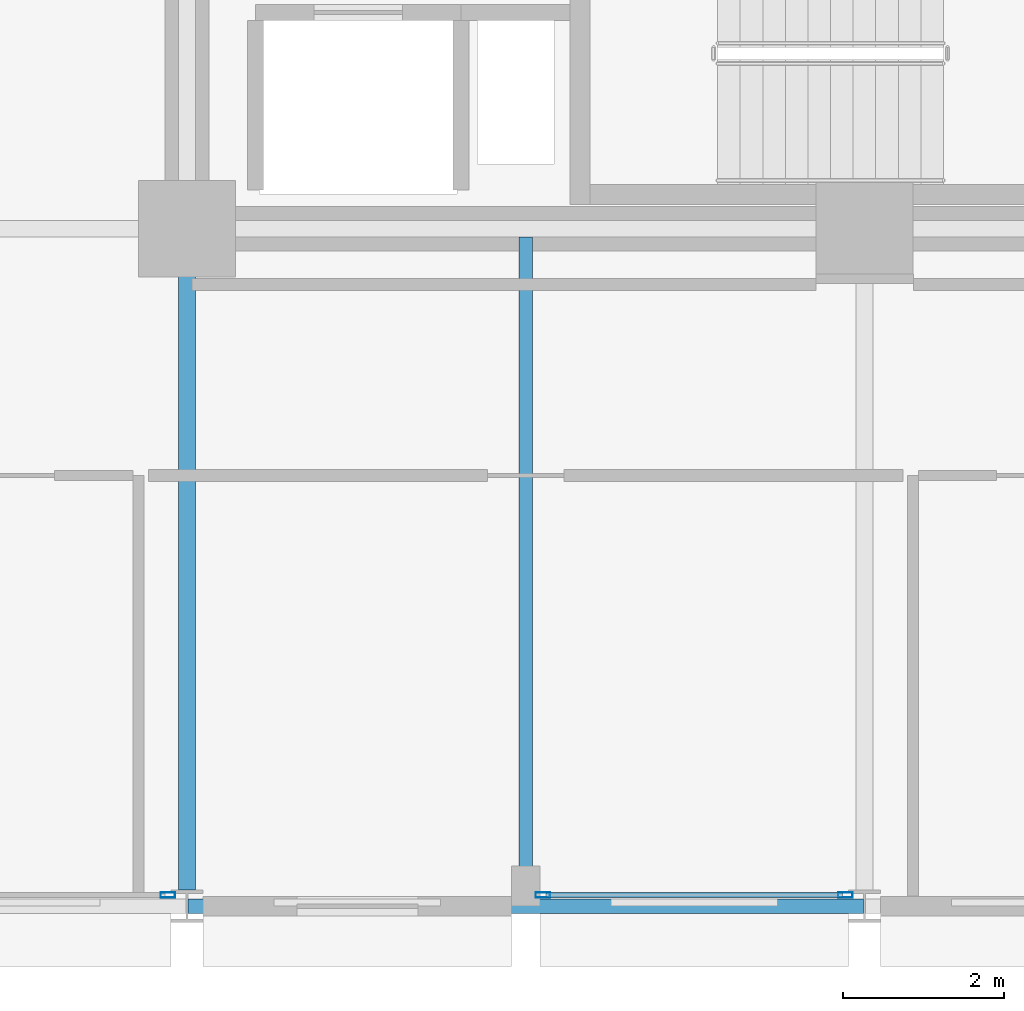
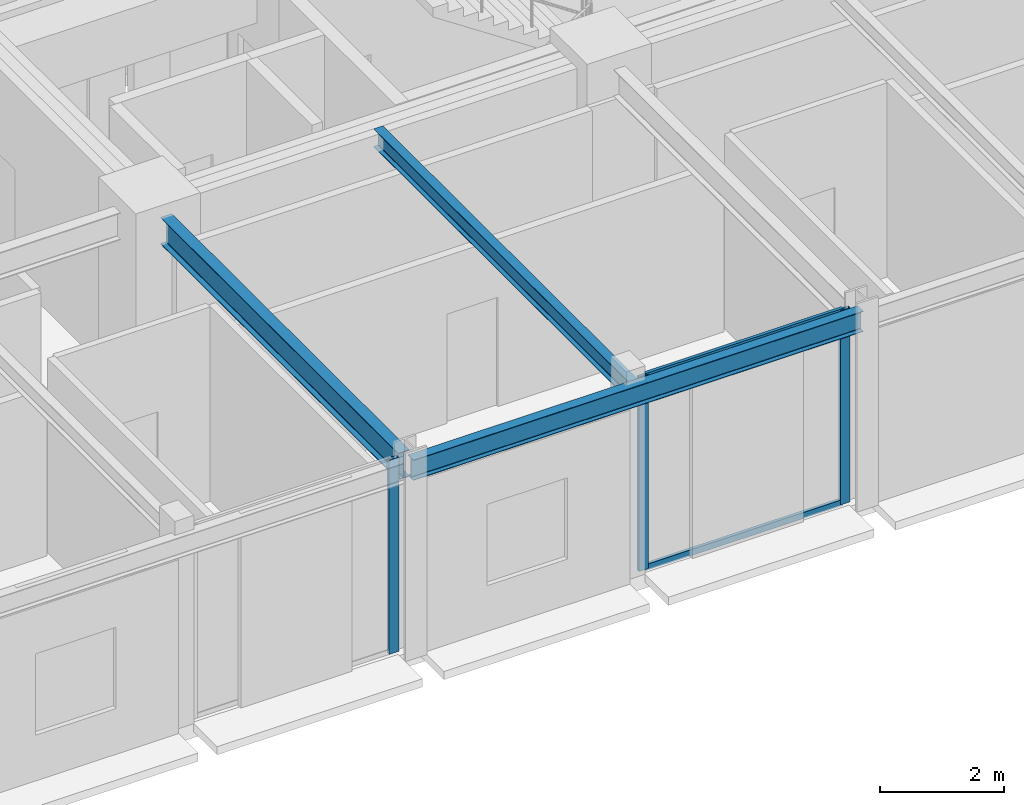
# One storey, part 6 of 30: 5 members, 3 beams, 2 elements without a shape of their own.
"""IFC4 building model written with IfcOpenShell, lengths in metres."""

from ifc_helpers import new_model, si_unit, direction, frame, origin, origin_2d, place, context, subcontext, project, spatial, hollow_rectangle, i_section, extrude, material, layer, layer_set, material_profile, profile_set, type_object, element, aggregate, save


model = new_model("IFC4")

# Units and contexts
model_context = context("Model", 3, precision=1e-05, world=origin(), true_north=direction((0.0, 1.0)))
body_context = subcontext(model_context, "Body", "Model", "MODEL_VIEW")
ifc_project = project(units=[si_unit("LENGTHUNIT", "METRE"), si_unit("AREAUNIT", "SQUARE_METRE"), si_unit("VOLUMEUNIT", "CUBIC_METRE"), si_unit("PLANEANGLEUNIT", "RADIAN"), si_unit("MASSUNIT", "GRAM", prefix="KILO")], contexts=[model_context])

# Site, building, storey
site_placement = place(None, origin())
site = spatial("IfcSite", under=ifc_project, at=site_placement, CompositionType="ELEMENT")
building_placement = place(site_placement, origin())
building = spatial("IfcBuilding", under=site, at=building_placement, Name="Nerrivon Quay Data Exchange", CompositionType="ELEMENT")
storey_placement = place(building_placement, frame((0.0, 0.0, 117.199951171875)))
storey = spatial("IfcBuildingStorey", under=building, at=storey_placement, Name="L27", CompositionType="ELEMENT", Elevation=117.199951171875)

# Beams
ifc_material_1 = material(Name="Steel Grade 350", Category="steel")
ifc_material_profile_1 = material_profile(ifc_material_1, i_section(OverallWidth=0.208984375, OverallDepth=0.528076171875, WebThickness=0.009521484375, FlangeThickness=0.01318359375, FilletRadius=0.013916015625, at=origin_2d()), Name="530UB82.0")
ifc_profile_set_1 = profile_set([ifc_material_profile_1], Name="Steel Grade 350")
beam_type_1 = type_object("IfcBeamType", Name="BM-G4-530UB82", PredefinedType="BEAM", material=ifc_profile_set_1)
beam_1_placement = place(storey_placement, frame((16.800048828125, 0.199951171875, 3.56103515625), z_axis=(0.0, 1.0, 0.0), x_axis=(-1.0, 0.0, 0.0)))
element("IfcBeam", 1, at=beam_1_placement, inside=storey, type_object=beam_type_1, Name="L27 NS Girder X=16.8 (0.0..8.4)", PredefinedType="BEAM", context=body_context, shape_type="SweptSolid", body=[
    extrude(i_section(OverallWidth=0.208984375, OverallDepth=0.528076171875, WebThickness=0.009521484375, FlangeThickness=0.01318359375, FilletRadius=0.013916015625, at=origin_2d()), origin(), (0.0, 0.0, 1.0), 7.66015625),
])
ifc_material_profile_2 = material_profile(ifc_material_1, i_section(OverallWidth=0.1708984375, OverallDepth=0.35595703125, WebThickness=0.00732421875, FlangeThickness=0.011474609375, FilletRadius=0.011474609375, at=origin_2d()), Name="360UB50.7")
ifc_profile_set_2 = profile_set([ifc_material_profile_2], Name="Steel Grade 350")
beam_type_2 = type_object("IfcBeamType", Name="BM-J4-360UB51", PredefinedType="JOIST", material=ifc_profile_set_2)
beam_2_placement = place(storey_placement, frame((21.0, 0.089111328125, 3.64697265625), z_axis=(0.0, 1.0, 0.0), x_axis=(-1.0, 0.0, 0.0)))
element("IfcBeam", 2, at=beam_2_placement, inside=storey, type_object=beam_type_2, Name="L27 Secondary Joist X=21.0 (0.0..8.4)", PredefinedType="JOIST", context=body_context, shape_type="SweptSolid", body=[
    extrude(i_section(OverallWidth=0.1708984375, OverallDepth=0.35595703125, WebThickness=0.00732421875, FlangeThickness=0.011474609375, FilletRadius=0.011474609375, at=origin_2d()), origin(), (0.0, 0.0, 1.0), 8.206298828125),
])
ifc_material_profile_3 = material_profile(ifc_material_1, i_section(OverallWidth=0.177978515625, OverallDepth=0.403076171875, WebThickness=0.007568359375, FlangeThickness=0.010986328125, FilletRadius=0.011474609375, at=origin_2d()), Name="410UB53.7")
ifc_profile_set_3 = profile_set([ifc_material_profile_3], Name="Steel Grade 350")
beam_type_3 = type_object("IfcBeamType", Name="BM-SP2-410UB54", PredefinedType="SPANDREL", material=ifc_profile_set_3)
beam_3_placement = place(storey_placement, frame((16.8125, 0.0, 3.62353515625), z_axis=(1.0, 0.0, 0.0), x_axis=(0.0, 1.0, 0.0)))
element("IfcBeam", 3, at=beam_3_placement, inside=storey, type_object=beam_type_3, Name="L27 EW Girder Y=0.0 (16.8..25.2)", PredefinedType="SPANDREL", context=body_context, shape_type="SweptSolid", body=[
    extrude(i_section(OverallWidth=0.177978515625, OverallDepth=0.403076171875, WebThickness=0.007568359375, FlangeThickness=0.010986328125, FilletRadius=0.011474609375, at=origin_2d()), origin(), (0.0, 0.0, 1.0), 8.375),
])

# Curtain wall, members
ifc_material_2 = material(Name="Anodised aluminium 6063-T6", Category="aluminium")
ifc_layer = layer(ifc_material_2, 0.2099609375)
ifc_layer_set = layer_set([ifc_layer], Name="Anodised aluminium 6063-T6")
curtain_wall_type = type_object("IfcCurtainWallType", Name="CW-SYS-02", PredefinedType="NOTDEFINED", material=ifc_layer_set)
curtain_wall_1_placement = place(storey_placement, origin())
curtain_wall_1 = element("IfcCurtainWall", 4, at=curtain_wall_1_placement, inside=storey, type_object=curtain_wall_type, Name="L27 Unitised Curtain Wall 4", PredefinedType="NOTDEFINED")
ifc_material_profile_4 = material_profile(ifc_material_2, hollow_rectangle(XDim=0.06494140625, YDim=0.179931640625, WallThickness=0.00341796875, at=origin_2d()), Name="ALU-MULL-180x65")
ifc_profile_set_4 = profile_set([ifc_material_profile_4], Name="Anodised aluminium 6063-T6")
member_type_1 = type_object("IfcMemberType", Name="CWM-180x65", PredefinedType="MULLION", material=ifc_profile_set_4)
member_1_placement = place(storey_placement, frame((24.96240234375, 0.139892578125, 0.0), z_axis=(0.0, 0.0, 1.0), x_axis=(0.0, -1.0, 0.0)))
member_1 = element("IfcMember", 5, at=member_1_placement, type_object=member_type_1, Name="CW02 mullion 1", PredefinedType="MULLION", context=body_context, shape_type="SweptSolid", body=[
    extrude(hollow_rectangle(XDim=0.06494140625, YDim=0.179931640625, WallThickness=0.00341796875, at=origin_2d()), origin(), (0.0, 0.0, 1.0), 3.824951171875),
])
member_2_placement = place(storey_placement, frame((21.21240234375, 0.139892578125, 0.0), z_axis=(0.0, 0.0, 1.0), x_axis=(0.0, -1.0, 0.0)))
member_2 = element("IfcMember", 6, at=member_2_placement, type_object=member_type_1, Name="CW02 mullion 2", PredefinedType="MULLION", context=body_context, shape_type="SweptSolid", body=[
    extrude(hollow_rectangle(XDim=0.06494140625, YDim=0.179931640625, WallThickness=0.00341796875, at=origin_2d()), origin(), (0.0, 0.0, 1.0), 3.824951171875),
])

# Curtain wall, member
curtain_wall_2_placement = place(storey_placement, origin())
curtain_wall_2 = element("IfcCurtainWall", 7, at=curtain_wall_2_placement, inside=storey, type_object=curtain_wall_type, Name="L27 Unitised Curtain Wall 6", PredefinedType="NOTDEFINED")
member_3_placement = place(storey_placement, frame((16.5625, 0.139892578125, 0.0), z_axis=(0.0, 0.0, 1.0), x_axis=(0.0, -1.0, 0.0)))
member_3 = element("IfcMember", 8, at=member_3_placement, type_object=member_type_1, Name="CW02 mullion 1", PredefinedType="MULLION", context=body_context, shape_type="SweptSolid", body=[
    extrude(hollow_rectangle(XDim=0.06494140625, YDim=0.179931640625, WallThickness=0.00341796875, at=origin_2d()), origin(), (0.0, 0.0, 1.0), 3.824951171875),
])
aggregate(curtain_wall_2, [member_3])

# Member
ifc_material_profile_5 = material_profile(ifc_material_2, hollow_rectangle(XDim=0.06005859375, YDim=0.1201171875, WallThickness=0.003173828125, at=origin_2d()), Name="ALU-TRAN-120x60")
ifc_profile_set_5 = profile_set([ifc_material_profile_5], Name="Anodised aluminium 6063-T6")
member_type_2 = type_object("IfcMemberType", Name="CWT-120x60", PredefinedType="USERDEFINED", material=ifc_profile_set_5)
member_4_placement = place(storey_placement, frame((24.925048828125, 0.139892578125, 0.032470703125), z_axis=(-1.0, 0.0, 0.0), x_axis=(0.0, -1.0, 0.0)))
member_4 = element("IfcMember", 9, at=member_4_placement, type_object=member_type_2, Name="CW02 transom 1.1", ObjectType="TRANSOM", PredefinedType="USERDEFINED", context=body_context, shape_type="SweptSolid", body=[
    extrude(hollow_rectangle(XDim=0.06005859375, YDim=0.1201171875, WallThickness=0.003173828125, at=origin_2d()), origin(), (0.0, 0.0, 1.0), 3.675048828125),
])

member_5_placement = place(storey_placement, frame((24.925048828125, 0.139892578125, 3.79248046875), z_axis=(-1.0, 0.0, 0.0), x_axis=(0.0, -1.0, 0.0)))
member_5 = element("IfcMember", 10, at=member_5_placement, type_object=member_type_2, Name="CW02 transom 1.2", ObjectType="TRANSOM", PredefinedType="USERDEFINED", context=body_context, shape_type="SweptSolid", body=[
    extrude(hollow_rectangle(XDim=0.06005859375, YDim=0.1201171875, WallThickness=0.003173828125, at=origin_2d()), origin(), (0.0, 0.0, 1.0), 3.675048828125),
])

aggregate(curtain_wall_1, [member_1, member_2, member_4, member_5])

save(model, "model.ifc")
